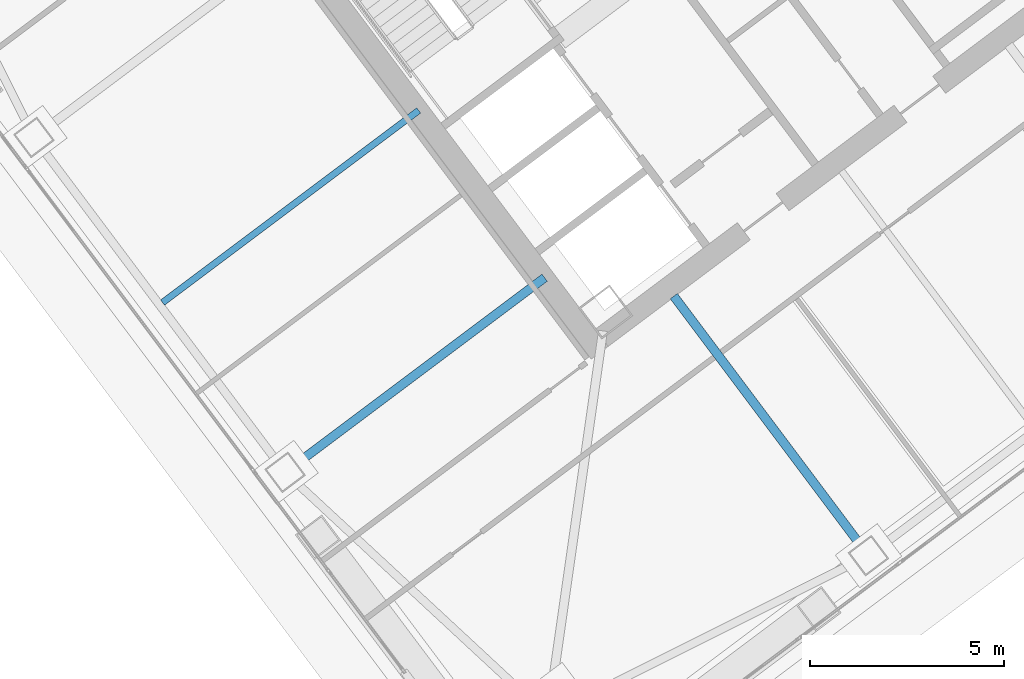
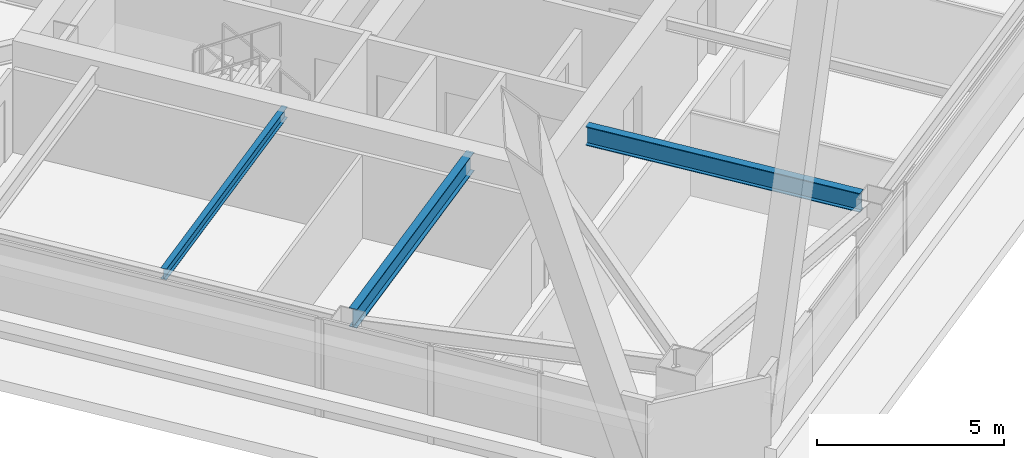
# One storey, part 32 of 65: 3 beams.
"""IFC4 building model written with IfcOpenShell, lengths in metres."""

from ifc_helpers import new_model, si_unit, direction, frame, origin, origin_2d, place, context, subcontext, project, spatial, i_section, extrude, material, material_profile, profile_set, type_object, element, save


model = new_model("IFC4")

# Units and contexts
model_context = context("Model", 3, precision=1e-05, world=origin(), true_north=direction((0.0, 1.0)))
body_context = subcontext(model_context, "Body", "Model", "MODEL_VIEW")
ifc_project = project(units=[si_unit("LENGTHUNIT", "METRE"), si_unit("AREAUNIT", "SQUARE_METRE"), si_unit("VOLUMEUNIT", "CUBIC_METRE"), si_unit("PLANEANGLEUNIT", "RADIAN"), si_unit("MASSUNIT", "GRAM", prefix="KILO")], contexts=[model_context])

# Site, building, storey
site_placement = place(None, origin())
site = spatial("IfcSite", under=ifc_project, at=site_placement, CompositionType="ELEMENT")
building_placement = place(site_placement, origin())
building = spatial("IfcBuilding", under=site, at=building_placement, Name="Tashvorn Skyway Center", CompositionType="ELEMENT")
storey_placement = place(building_placement, frame((0.0, 0.0, 157.0)))
storey = spatial("IfcBuildingStorey", under=building, at=storey_placement, Name="L42", CompositionType="ELEMENT", Elevation=157.0)

# Beams
ifc_material = material(Name="Steel ASTM A992 Grade 50", Category="steel")
ifc_material_profile_1 = material_profile(ifc_material, i_section(OverallWidth=0.22998046875, OverallDepth=0.616943359375, WebThickness=0.01318359375, FlangeThickness=0.022216796875, at=origin_2d()), Name="W24X94")
ifc_profile_set_1 = profile_set([ifc_material_profile_1], Name="Steel ASTM A992 Grade 50")
beam_type_1 = type_object("IfcBeamType", Name="BM-BEAM-W24X94", PredefinedType="BEAM", material=ifc_profile_set_1)
beam_1_placement = place(storey_placement, frame((119.14794921875, 16.135986328125, 3.0615234375), z_axis=(-0.60000976564, 0.799992675677, 0.0), x_axis=(-0.799992675677, -0.60000976564, 0.0)))
element("IfcBeam", 1, at=beam_1_placement, inside=storey, type_object=beam_type_1, Name="Tower 2 L42 Primary Floor Girder FC-S1", PredefinedType="BEAM", context=body_context, shape_type="SweptSolid", body=[
    extrude(i_section(OverallWidth=0.22998046875, OverallDepth=0.616943359375, WebThickness=0.01318359375, FlangeThickness=0.022216796875, at=origin_2d()), origin(), (0.0, 0.0, 1.0), 8.0),
])
beam_2_placement = place(storey_placement, frame((104.615966796875, 18.2119140625, 3.0615234375), z_axis=(0.800003662027, 0.599995117266, 0.0), x_axis=(-0.599995117266, 0.800003662027, 0.0)))
element("IfcBeam", 2, at=beam_2_placement, inside=storey, type_object=beam_type_1, Name="Tower 2 L42 Primary Floor Girder FC-W2", PredefinedType="BEAM", context=body_context, shape_type="SweptSolid", body=[
    extrude(i_section(OverallWidth=0.22998046875, OverallDepth=0.616943359375, WebThickness=0.01318359375, FlangeThickness=0.022216796875, at=origin_2d()), origin(), (0.0, 0.0, 1.0), 8.000244140625),
])
ifc_material_profile_2 = material_profile(ifc_material, i_section(OverallWidth=0.1708984375, OverallDepth=0.35498046875, WebThickness=0.007080078125, FlangeThickness=0.01171875, at=origin_2d()), Name="W14X34")
ifc_profile_set_2 = profile_set([ifc_material_profile_2], Name="Steel ASTM A992 Grade 50")
beam_type_2 = type_object("IfcBeamType", Name="BM-JOIST-W14X34", PredefinedType="JOIST", material=ifc_profile_set_2)
beam_3_placement = place(storey_placement, frame((107.76806640625, 27.325927734375, 3.1923828125), z_axis=(-0.800003545708, -0.59999527236, 0.0), x_axis=(0.59999527236, -0.800003545708, 0.0)))
element("IfcBeam", 3, at=beam_3_placement, inside=storey, type_object=beam_type_2, Name="Tower 2 L42 Secondary Composite Joist JW", PredefinedType="JOIST", context=body_context, shape_type="SweptSolid", body=[
    extrude(i_section(OverallWidth=0.1708984375, OverallDepth=0.35498046875, WebThickness=0.007080078125, FlangeThickness=0.01171875, at=origin_2d()), origin(), (0.0, 0.0, 1.0), 8.2626953125),
])

save(model, "model.ifc")
